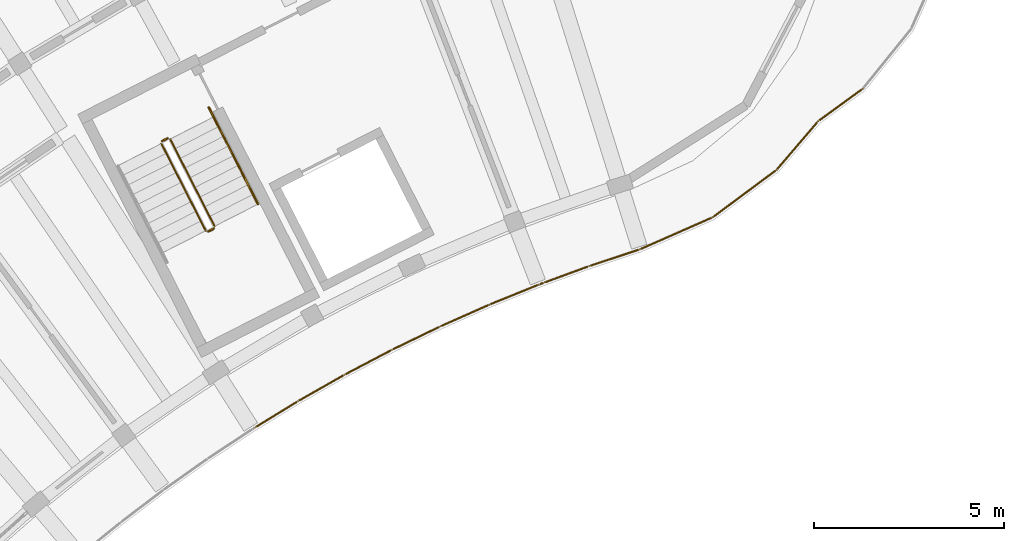
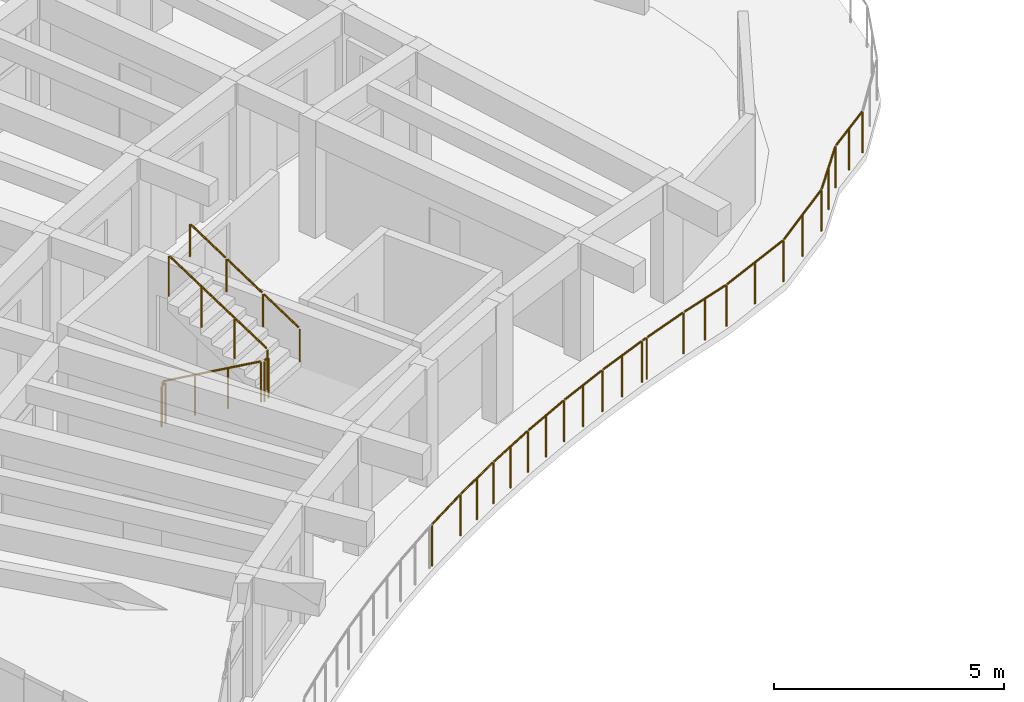
# One storey, part 17 of 19: 10 railings.
"""IFC4 building model written with IfcOpenShell, lengths in metres."""

import ifcopenshell
import ifcopenshell.guid

model = None  # the IFC model being written
_history = None  # IfcOwnerHistory: only IFC2X3 demands one
_inside = {}  # id of a spatial element -> (the spatial element, [elements in it])
_under = {}  # id of a project, library or spatial element -> (it, [spatial elements below it])
_declared = {}  # id of a project -> (the project, [libraries it declares])
_typed = {}  # id of a type object -> (the type object, [elements of that type])
_made_of = {}  # id of a material, layer set ... -> (it, [elements and type objects made of it])


def new_model(schema):
    """Start an empty IFC model of exactly this schema.

    Asked for "IFC4X3", IfcOpenShell would pick the latest addendum, in which some entities
    have other attributes; the version numbers below select the first issue.
    IFC2X3 requires an IfcOwnerHistory on every rooted entity: one is made here for all.
    """
    global model, _history
    if schema == "IFC4X3":
        model = ifcopenshell.file(schema_version=(4, 3, 0, 0))
    else:
        model = ifcopenshell.file(schema=schema)
    _inside.clear()
    _under.clear()
    _declared.clear()
    _typed.clear()
    _made_of.clear()
    _history = None
    if model.schema == "IFC2X3":
        org = make("IfcOrganization", Name="unknown")
        user = make(
            "IfcPersonAndOrganization",
            ThePerson=make("IfcPerson", FamilyName="unknown"),
            TheOrganization=org,
        )
        app = make(
            "IfcApplication",
            ApplicationDeveloper=org,
            Version="unknown",
            ApplicationFullName="unknown",
            ApplicationIdentifier="unknown",
        )
        _history = make(
            "IfcOwnerHistory",
            OwningUser=user,
            OwningApplication=app,
            ChangeAction="ADDED",
            CreationDate=0,
        )
    return model


def make(cls, **values):
    """One entity of the class cls with the attributes given. An attribute that is None is left unset."""
    return model.create_entity(
        cls, **{name: value for name, value in values.items() if value is not None}
    )


def rooted(cls, **values):
    """An entity with a GlobalId (a new one), such as an element, a storey or a relation."""
    return make(cls, GlobalId=ifcopenshell.guid.new(), OwnerHistory=_history, **values)


def si_unit(unit_type, name, prefix=None):
    """IfcSIUnit, for example si_unit("LENGTHUNIT", "METRE", prefix="MILLI")."""
    return make("IfcSIUnit", UnitType=unit_type, Prefix=prefix, Name=name)


def assignment(units):
    """IfcUnitAssignment: the units of a project."""
    return None if units is None else make("IfcUnitAssignment", Units=units)


def point(xyz):
    """IfcCartesianPoint."""
    return None if xyz is None else make("IfcCartesianPoint", Coordinates=xyz)


def direction(xyz):
    """IfcDirection."""
    return None if xyz is None else make("IfcDirection", DirectionRatios=xyz)


def frame(location, z_axis=None, x_axis=None):
    """IfcAxis2Placement3D, a coordinate frame: its origin and axes. An axis left out is left unset."""
    return make(
        "IfcAxis2Placement3D",
        Location=point(location),
        Axis=direction(z_axis),
        RefDirection=direction(x_axis),
    )


def frame_2d(location, x_axis=None):
    """IfcAxis2Placement2D, a coordinate frame in the plane: its origin and x axis."""
    return make(
        "IfcAxis2Placement2D", Location=point(location), RefDirection=direction(x_axis)
    )


def origin():
    """The frame at (0, 0, 0) with its axes left unset."""
    return frame((0.0, 0.0, 0.0))


def origin_2d():
    """The frame at (0, 0) in the plane with its x axis left unset."""
    return frame_2d((0.0, 0.0))


def place(relative_to, where):
    """IfcLocalPlacement: puts the frame where relative to a parent placement (None: the world)."""
    return make(
        "IfcLocalPlacement", PlacementRelTo=relative_to, RelativePlacement=where
    )


def context(
    kind, dimensions, precision=None, world=None, true_north=None, identifier=None
):
    """IfcGeometricRepresentationContext, for example the 3D "Model" context."""
    return make(
        "IfcGeometricRepresentationContext",
        ContextIdentifier=identifier,
        ContextType=kind,
        CoordinateSpaceDimension=dimensions,
        Precision=precision,
        WorldCoordinateSystem=world,
        TrueNorth=true_north,
    )


def subcontext(parent, identifier, kind, view, scale=None):
    """IfcGeometricRepresentationSubContext, for example "Body" below "Model"."""
    return make(
        "IfcGeometricRepresentationSubContext",
        ContextIdentifier=identifier,
        ContextType=kind,
        ParentContext=parent,
        TargetScale=scale,
        TargetView=view,
    )


def project(units=None, contexts=None):
    """IfcProject with its units and contexts."""
    return rooted(
        "IfcProject",
        Name="project",
        RepresentationContexts=contexts,
        UnitsInContext=assignment(units),
    )


def spatial(cls, under=None, at=None, **own):
    """A site, building, storey or space (cls), placed at a placement, below another one or the project."""
    s = rooted(cls, ObjectPlacement=at, **own)
    if under is not None:
        _under.setdefault(under.id(), (under, []))[1].append(s)
    return s


def profile(cls, at=None, kind="AREA", **sizes):
    """A parametric profile (cls). Its sizes go by their IFC names, for example OverallWidth=200.0."""
    return make(cls, ProfileType=kind, Position=at, **sizes)


def circle(**sizes):
    """IfcCircleProfileDef."""
    return profile("IfcCircleProfileDef", **sizes)


def extrude(swept, where, along, depth):
    """IfcExtrudedAreaSolid: the profile swept, set in the frame where, extruded along a direction by depth."""
    return make(
        "IfcExtrudedAreaSolid",
        SweptArea=swept,
        Position=where,
        ExtrudedDirection=direction(along),
        Depth=depth,
    )


def shape(context_of_items, identifier, shape_type, items):
    """IfcShapeRepresentation: the items that make up one representation, for example the "Body"."""
    return make(
        "IfcShapeRepresentation",
        ContextOfItems=context_of_items,
        RepresentationIdentifier=identifier,
        RepresentationType=shape_type,
        Items=items,
    )


def material(Name=None, Category=None):
    """IfcMaterial."""
    return make("IfcMaterial", Name=Name, Category=Category)


def made_of(thing, what):
    """Note that an element or type object is made of a material, layer set ...; save() writes the relation."""
    if what is not None:
        _made_of.setdefault(what.id(), (what, []))[1].append(thing)
    return thing


def type_object(cls, material=None, **own):
    """A type object (cls), such as IfcWallType, which elements share."""
    return made_of(rooted(cls, **own), material)


def element(
    cls,
    number,
    at=None,
    inside=None,
    cuts=None,
    type_object=None,
    material=None,
    context=None,
    identifier="Body",
    shape_type=None,
    held_by="IfcProductDefinitionShape",
    body=None,
    shapes=None,
    **own,
):
    """One element of the class cls, such as IfcWall. Its Tag is "e" and its number.

    at: its placement. inside: the storey or other place that contains it. cuts: it is an
    opening in that element (IfcRelVoidsElement). A single representation is given by context,
    identifier, shape_type and body (its items); several are given by shapes. held_by: the class
    of the entity that holds the representations. save() writes the other relations.
    """
    e = rooted(cls, Tag="e%d" % number, ObjectPlacement=at, **own)
    if body is not None:
        shapes = [shape(context, identifier, shape_type, body)]
    if shapes is not None:
        e.Representation = make(held_by, Representations=shapes)
    if inside is not None:
        _inside.setdefault(inside.id(), (inside, []))[1].append(e)
    if cuts is not None:
        rooted(
            "IfcRelVoidsElement", RelatingBuildingElement=cuts, RelatedOpeningElement=e
        )
    if type_object is not None:
        _typed.setdefault(type_object.id(), (type_object, []))[1].append(e)
    return made_of(e, material)


def aggregate(whole, parts):
    """IfcRelAggregates: a whole, such as a stair, and the parts it consists of."""
    return rooted("IfcRelAggregates", RelatingObject=whole, RelatedObjects=parts)


def save(model, path):
    """Write the relations noted so far, then the file.

    IfcRelAggregates (storeys below a building ...), IfcRelContainedInSpatialStructure (elements
    in a storey), IfcRelDefinesByType, IfcRelAssociatesMaterial and IfcRelDeclares: one each for
    every whole, place, type object, material and project.
    """
    for whole, parts in _under.values():
        aggregate(whole, parts)
    for where, things in _inside.values():
        rooted(
            "IfcRelContainedInSpatialStructure",
            RelatedElements=things,
            RelatingStructure=where,
        )
    for kind, things in _typed.values():
        rooted("IfcRelDefinesByType", RelatedObjects=things, RelatingType=kind)
    for what, things in _made_of.values():
        rooted("IfcRelAssociatesMaterial", RelatedObjects=things, RelatingMaterial=what)
    for by, libraries in _declared.values():
        rooted("IfcRelDeclares", RelatingContext=by, RelatedDefinitions=libraries)
    model.write(path)


model = new_model("IFC4")

# Units and contexts
model_context = context("Model", 3, precision=1e-05, world=origin(), true_north=direction((0.0, 1.0)))
body_context = subcontext(model_context, "Body", "Model", "MODEL_VIEW")
ifc_project = project(units=[si_unit("LENGTHUNIT", "METRE"), si_unit("AREAUNIT", "SQUARE_METRE"), si_unit("VOLUMEUNIT", "CUBIC_METRE"), si_unit("PLANEANGLEUNIT", "RADIAN"), si_unit("MASSUNIT", "GRAM", prefix="KILO")], contexts=[model_context])

# Site, building, storey
site_placement = place(None, origin())
site = spatial("IfcSite", under=ifc_project, at=site_placement, CompositionType="ELEMENT")
building_placement = place(site_placement, origin())
building = spatial("IfcBuilding", under=site, at=building_placement, Name="Tanwirah Colonnade Gardens", CompositionType="ELEMENT")
storey_placement = place(building_placement, frame((0.0, 0.0, 45.800048828125)))
storey = spatial("IfcBuildingStorey", under=building, at=storey_placement, Name="L13", CompositionType="ELEMENT", Elevation=45.800048828125)

# Railings
ifc_material_1 = material(Name="Precast concrete C40/50", Category="concrete")
railing_type_1 = type_object("IfcRailingType", Name="BAL-EXT112", PredefinedType="BALUSTRADE", material=ifc_material_1)
railing_1_placement = place(storey_placement, frame((56.955322265625, 104.298828125, 0.0)))
element("IfcRailing", 1, at=railing_1_placement, inside=storey, type_object=railing_type_1, Name="Block A L13 Balcony Ribbon Balustrade 1", PredefinedType="BALUSTRADE", context=body_context, shape_type="SweptSolid", body=[
    extrude(circle(Radius=0.02392578125, at=origin_2d()), frame((-0.020263671875, -0.023681640625, 1.09619140625), z_axis=(-0.649744401768, -0.760152755945, 0.0), x_axis=(0.760152755945, -0.649744401768, 0.0)), (0.0, 0.0, 1.0), 1.609130859375),
    extrude(circle(Radius=0.02392578125, at=origin_2d()), frame((-1.111328125, -1.289306640625, 1.09619140625), z_axis=(-0.802617432129, -0.596494138817, 0.0), x_axis=(0.596494138817, -0.802617432129, 0.0)), (0.0, 0.0, 1.0), 2.0244140625),
    extrude(circle(Radius=0.02392578125, at=origin_2d()), frame((-2.789794921875, -2.5283203125, 1.09619140625), z_axis=(-0.915206584925, -0.402984995887, 0.0), x_axis=(0.402984995887, -0.915206584925, 0.0)), (0.0, 0.0, 1.0), 2.029296875),
    extrude(circle(Radius=0.02392578125, at=origin_2d()), frame((-4.70556640625, -3.368408203125, 1.09619140625), z_axis=(-0.949551322101, -0.313611681377, 0.0), x_axis=(0.313611681377, -0.949551322101, 0.0)), (0.0, 0.0, 1.0), 1.337890625),
    extrude(circle(Radius=0.02392578125, at=origin_2d()), frame((-6.03759765625, -3.8095703125, 1.09619140625), z_axis=(-0.938730575027, -0.344651864219, 0.0), x_axis=(0.344651864219, -0.938730575027, 0.0)), (0.0, 0.0, 1.0), 1.18359375),
    extrude(circle(Radius=0.02099609375, at=origin_2d()), origin(), (0.0, 0.0, 1.0), 1.069091796875),
    extrude(circle(Radius=0.02099609375, at=origin_2d()), frame((-0.54296875, -0.63525390625, 0.0)), (0.0, 0.0, 1.0), 1.069091796875),
    extrude(circle(Radius=0.02099609375, at=origin_2d()), frame((-1.086181640625, -1.270751953125, 0.0)), (0.0, 0.0, 1.0), 1.069091796875),
    extrude(circle(Radius=0.02099609375, at=origin_2d()), frame((-1.923828125, -1.89306640625, 0.0)), (0.0, 0.0, 1.0), 1.069091796875),
    extrude(circle(Radius=0.02099609375, at=origin_2d()), frame((-2.76123046875, -2.515625, 0.0)), (0.0, 0.0, 1.0), 1.069091796875),
    extrude(circle(Radius=0.02099609375, at=origin_2d()), frame((-3.718505859375, -2.93701171875, 0.0)), (0.0, 0.0, 1.0), 1.069091796875),
    extrude(circle(Radius=0.02099609375, at=origin_2d()), frame((-4.67578125, -3.358642578125, 0.0)), (0.0, 0.0, 1.0), 1.069091796875),
    extrude(circle(Radius=0.02099609375, at=origin_2d()), frame((-5.3408203125, -3.578125, 0.0)), (0.0, 0.0, 1.0), 1.069091796875),
    extrude(circle(Radius=0.02099609375, at=origin_2d()), frame((-6.005615234375, -3.7978515625, 0.0)), (0.0, 0.0, 1.0), 1.069091796875),
    extrude(circle(Radius=0.02099609375, at=origin_2d()), frame((-7.177978515625, -4.228271484375, 0.0)), (0.0, 0.0, 1.0), 1.069091796875),
])
railing_2_placement = place(storey_placement, frame((49.77734375, 100.070556640625, 0.0)))
element("IfcRailing", 2, at=railing_2_placement, inside=storey, type_object=railing_type_1, Name="Block A L13 Balcony Ribbon Balustrade 2", PredefinedType="BALUSTRADE", context=body_context, shape_type="SweptSolid", body=[
    extrude(circle(Radius=0.02392578125, at=origin_2d()), frame((-0.029296875, -0.0107421875, 1.09619140625), z_axis=(-0.938343116817, -0.345705358827, 0.0), x_axis=(0.345705358827, -0.938343116817, 0.0)), (0.0, 0.0, 1.0), 0.095703125),
    extrude(circle(Radius=0.02392578125, at=origin_2d()), frame((-0.179931640625, -0.0673828125, 1.09619140625), z_axis=(-0.92683738147, -0.375463005247, 0.0), x_axis=(0.375463005247, -0.92683738147, 0.0)), (0.0, 0.0, 1.0), 1.342041015625),
    extrude(circle(Radius=0.02392578125, at=origin_2d()), frame((-1.4833984375, -0.5966796875, 1.09619140625), z_axis=(-0.913997826773, -0.40571908096, 0.0), x_axis=(0.40571908096, -0.913997826773, 0.0)), (0.0, 0.0, 1.0), 1.342041015625),
    extrude(circle(Radius=0.02392578125, at=origin_2d()), frame((-2.768798828125, -1.168701171875, 1.09619140625), z_axis=(-0.900124070825, -0.43563362717, 0.0), x_axis=(0.43563362717, -0.900124070825, 0.0)), (0.0, 0.0, 1.0), 1.341796875),
    extrude(circle(Radius=0.02392578125, at=origin_2d()), frame((-4.03466796875, -1.78271484375, 1.09619140625), z_axis=(-0.885204649416, -0.465201814972, 0.0), x_axis=(0.465201814972, -0.885204649416, 0.0)), (0.0, 0.0, 1.0), 1.341796875),
    extrude(circle(Radius=0.02392578125, at=origin_2d()), frame((-5.27978515625, -2.43798828125, 1.09619140625), z_axis=(-0.869342839865, -0.494209496848, 0.0), x_axis=(0.494209496848, -0.869342839865, 0.0)), (0.0, 0.0, 1.0), 1.342041015625),
    extrude(circle(Radius=0.02392578125, at=origin_2d()), frame((-6.50244140625, -3.13427734375, 1.09619140625), z_axis=(-0.852665814872, -0.522456704568, 0.0), x_axis=(0.522456704568, -0.852665814872, 0.0)), (0.0, 0.0, 1.0), 1.24169921875),
    extrude(circle(Radius=0.02099609375, at=origin_2d()), origin(), (0.0, 0.0, 1.0), 1.069091796875),
    extrude(circle(Radius=0.02099609375, at=origin_2d()), frame((-0.1484375, -0.0546875, 0.0)), (0.0, 0.0, 1.0), 1.069091796875),
    extrude(circle(Radius=0.02099609375, at=origin_2d()), frame((-0.8017578125, -0.3193359375, 0.0)), (0.0, 0.0, 1.0), 1.069091796875),
    extrude(circle(Radius=0.02099609375, at=origin_2d()), frame((-1.45263671875, -0.5830078125, 0.0)), (0.0, 0.0, 1.0), 1.069091796875),
    extrude(circle(Radius=0.02099609375, at=origin_2d()), frame((-2.0966796875, -0.868896484375, 0.0)), (0.0, 0.0, 1.0), 1.069091796875),
    extrude(circle(Radius=0.02099609375, at=origin_2d()), frame((-2.738525390625, -1.15380859375, 0.0)), (0.0, 0.0, 1.0), 1.069091796875),
    extrude(circle(Radius=0.02099609375, at=origin_2d()), frame((-3.372802734375, -1.4609375, 0.0)), (0.0, 0.0, 1.0), 1.069091796875),
    extrude(circle(Radius=0.02099609375, at=origin_2d()), frame((-4.0048828125, -1.766845703125, 0.0)), (0.0, 0.0, 1.0), 1.069091796875),
    extrude(circle(Radius=0.02099609375, at=origin_2d()), frame((-4.628662109375, -2.0947265625, 0.0)), (0.0, 0.0, 1.0), 1.069091796875),
    extrude(circle(Radius=0.02099609375, at=origin_2d()), frame((-5.250244140625, -2.42138671875, 0.0)), (0.0, 0.0, 1.0), 1.069091796875),
    extrude(circle(Radius=0.02099609375, at=origin_2d()), frame((-5.86328125, -2.76953125, 0.0)), (0.0, 0.0, 1.0), 1.069091796875),
    extrude(circle(Radius=0.02099609375, at=origin_2d()), frame((-6.4736328125, -3.11669921875, 0.0)), (0.0, 0.0, 1.0), 1.069091796875),
    extrude(circle(Radius=0.02099609375, at=origin_2d()), frame((-7.587890625, -3.79931640625, 0.0)), (0.0, 0.0, 1.0), 1.069091796875),
])
railing_3_placement = place(storey_placement, frame((58.12744140625, 105.15478515625, 0.0)))
element("IfcRailing", 3, at=railing_3_placement, inside=storey, type_object=railing_type_1, Name="Block A L13 Balcony Ribbon Balustrade 18", PredefinedType="BALUSTRADE", context=body_context, shape_type="SweptSolid", body=[
    extrude(circle(Radius=0.02392578125, at=origin_2d()), frame((-0.025390625, -0.018310546875, 1.09619140625), z_axis=(-0.808426470382, -0.588597181429, 0.0), x_axis=(0.588597181429, -0.808426470382, 0.0)), (0.0, 0.0, 1.0), 1.3701171875),
    extrude(circle(Radius=0.02099609375, at=origin_2d()), origin(), (0.0, 0.0, 1.0), 1.069091796875),
    extrude(circle(Radius=0.02099609375, at=origin_2d()), frame((-0.5791015625, -0.421630859375, 0.0)), (0.0, 0.0, 1.0), 1.069091796875),
    extrude(circle(Radius=0.02099609375, at=origin_2d()), frame((-1.158203125, -0.84326171875, 0.0)), (0.0, 0.0, 1.0), 1.069091796875),
])
ifc_material_2 = material(Name="Powder-coated galvanized steel", Category="steel")
railing_type_2 = type_object("IfcRailingType", Name="GRD-ST110", PredefinedType="GUARDRAIL", material=ifc_material_2)
railing_4_placement = place(storey_placement, frame((39.718994140625, 103.715576171875, 0.16796875)))
element("IfcRailing", 4, at=railing_4_placement, inside=storey, type_object=railing_type_2, Name="L13 ST-A1 stair guard 1", PredefinedType="GUARDRAIL", context=body_context, shape_type="SweptSolid", body=[
    extrude(circle(Radius=0.02392578125, at=origin_2d()), frame((0.01220703125, -0.02392578125, 1.092041015625), z_axis=(0.391052831089, -0.767591854021, 0.507819287678), x_axis=(0.891032232724, 0.453940040365, 0.0)), (0.0, 0.0, 1.0), 2.914794921875),
    extrude(circle(Radius=0.02099609375, at=origin_2d()), origin(), (0.0, 0.0, 1.0), 1.049072265625),
    extrude(circle(Radius=0.02099609375, at=origin_2d()), frame((0.38818359375, -0.76171875, 0.50390625)), (0.0, 0.0, 1.0), 1.049072265625),
    extrude(circle(Radius=0.02099609375, at=origin_2d()), frame((0.776123046875, -1.523681640625, 1.008056640625)), (0.0, 0.0, 1.0), 1.049072265625),
    extrude(circle(Radius=0.02099609375, at=origin_2d()), frame((1.164306640625, -2.285400390625, 1.511962890625)), (0.0, 0.0, 1.0), 1.049072265625),
])
railing_5_placement = place(storey_placement, frame((40.95068359375, 101.408203125, 1.679931640625)))
element("IfcRailing", 5, at=railing_5_placement, inside=storey, type_object=railing_type_2, Name="L13 ST-A1 stair guard 2", PredefinedType="GUARDRAIL", context=body_context, shape_type="SweptSolid", body=[
    extrude(circle(Radius=0.02392578125, at=origin_2d()), frame((0.02783203125, 0.01416015625, 1.076171875), z_axis=(0.89073666619, 0.4545197372, 0.0), x_axis=(-0.4545197372, 0.89073666619, 0.0)), (0.0, 0.0, 1.0), 0.09765625),
    extrude(circle(Radius=0.02099609375, at=origin_2d()), origin(), (0.0, 0.0, 1.0), 1.049072265625),
    extrude(circle(Radius=0.02099609375, at=origin_2d()), frame((0.142578125, 0.07275390625, 0.0)), (0.0, 0.0, 1.0), 1.049072265625),
])
railing_6_placement = place(storey_placement, frame((41.114990234375, 101.548095703125, 1.847900390625)))
element("IfcRailing", 6, at=railing_6_placement, inside=storey, type_object=railing_type_2, Name="L13 ST-A1 stair guard 3", PredefinedType="GUARDRAIL", context=body_context, shape_type="SweptSolid", body=[
    extrude(circle(Radius=0.02392578125, at=origin_2d()), frame((-0.01220703125, 0.02392578125, 1.092041015625), z_axis=(-0.3911222872, 0.767567239095, 0.507803003067), x_axis=(-0.890993730975, -0.45401560696, 0.0)), (0.0, 0.0, 1.0), 2.9150390625),
    extrude(circle(Radius=0.02099609375, at=origin_2d()), origin(), (0.0, 0.0, 1.0), 1.049072265625),
    extrude(circle(Radius=0.02099609375, at=origin_2d()), frame((-0.38818359375, 0.76171875, 0.50390625)), (0.0, 0.0, 1.0), 1.049072265625),
    extrude(circle(Radius=0.02099609375, at=origin_2d()), frame((-0.7763671875, 1.523681640625, 1.008056640625)), (0.0, 0.0, 1.0), 1.049072265625),
    extrude(circle(Radius=0.02099609375, at=origin_2d()), frame((-1.16455078125, 2.285400390625, 1.511962890625)), (0.0, 0.0, 1.0), 1.049072265625),
])
railing_7_placement = place(storey_placement, frame((39.74072265625, 103.78271484375, 0.0)))
element("IfcRailing", 7, at=railing_7_placement, inside=storey, type_object=railing_type_2, Name="L13 ST-A1 stair guard 4", PredefinedType="GUARDRAIL", context=body_context, shape_type="SweptSolid", body=[
    extrude(circle(Radius=0.02392578125, at=origin_2d()), frame((0.02783203125, 0.01416015625, 1.076171875), z_axis=(0.89073666619, 0.4545197372, 0.0), x_axis=(-0.4545197372, 0.89073666619, 0.0)), (0.0, 0.0, 1.0), 0.09765625),
    extrude(circle(Radius=0.02099609375, at=origin_2d()), origin(), (0.0, 0.0, 1.0), 1.049072265625),
    extrude(circle(Radius=0.02099609375, at=origin_2d()), frame((0.142578125, 0.07275390625, 0.0)), (0.0, 0.0, 1.0), 1.049072265625),
])
ifc_material_3 = material(Name="Brushed bronze stainless steel", Category="steel")
railing_type_3 = type_object("IfcRailingType", Name="HR-ST090", PredefinedType="HANDRAIL", material=ifc_material_3)
railing_8_placement = place(storey_placement, frame((42.255615234375, 102.129150390625, 1.847900390625)))
element("IfcRailing", 8, at=railing_8_placement, inside=storey, type_object=railing_type_3, Name="L13 ST-A1 stair handrail 4", PredefinedType="HANDRAIL", context=body_context, shape_type="SweptSolid", body=[
    extrude(circle(Radius=0.02392578125, at=origin_2d()), frame((-0.01220703125, 0.02392578125, 0.891845703125), z_axis=(-0.390073458003, 0.765356354779, 0.511930022133), x_axis=(-0.890957114254, -0.454087459154, 0.0)), (0.0, 0.0, 1.0), 1.04345703125),
    extrude(circle(Radius=0.02099609375, at=origin_2d()), origin(), (0.0, 0.0, 1.0), 0.848876953125),
    extrude(circle(Radius=0.02099609375, at=origin_2d()), frame((-0.431396484375, 0.846435546875, 0.566162109375)), (0.0, 0.0, 1.0), 0.848876953125),
])
railing_9_placement = place(storey_placement, frame((41.82421875, 102.9755859375, 2.4140625)))
element("IfcRailing", 9, at=railing_9_placement, inside=storey, type_object=railing_type_3, Name="L13 ST-A1 stair handrail 5", PredefinedType="HANDRAIL", context=body_context, shape_type="SweptSolid", body=[
    extrude(circle(Radius=0.02392578125, at=origin_2d()), frame((-0.01220703125, 0.02392578125, 0.891845703125), z_axis=(-0.390051618152, 0.765534245474, 0.511680617361), x_axis=(-0.891010084603, -0.453983511965, 0.0)), (0.0, 0.0, 1.0), 1.04345703125),
    extrude(circle(Radius=0.02099609375, at=origin_2d()), origin(), (0.0, 0.0, 1.0), 0.848876953125),
    extrude(circle(Radius=0.02099609375, at=origin_2d()), frame((-0.431396484375, 0.8466796875, 0.56591796875)), (0.0, 0.0, 1.0), 0.848876953125),
])
railing_10_placement = place(storey_placement, frame((41.392822265625, 103.822265625, 2.97998046875)))
element("IfcRailing", 10, at=railing_10_placement, inside=storey, type_object=railing_type_3, Name="L13 ST-A1 stair handrail 6", PredefinedType="HANDRAIL", context=body_context, shape_type="SweptSolid", body=[
    extrude(circle(Radius=0.02392578125, at=origin_2d()), frame((-0.01220703125, 0.02392578125, 0.891845703125), z_axis=(-0.38993033558, 0.765508761867, 0.511811165275), x_axis=(-0.891061070925, -0.453883429839, 0.0)), (0.0, 0.0, 1.0), 1.043212890625),
    extrude(circle(Radius=0.02099609375, at=origin_2d()), origin(), (0.0, 0.0, 1.0), 0.848876953125),
    extrude(circle(Radius=0.02099609375, at=origin_2d()), frame((-0.43115234375, 0.846435546875, 0.56591796875)), (0.0, 0.0, 1.0), 0.848876953125),
])

save(model, "model.ifc")
